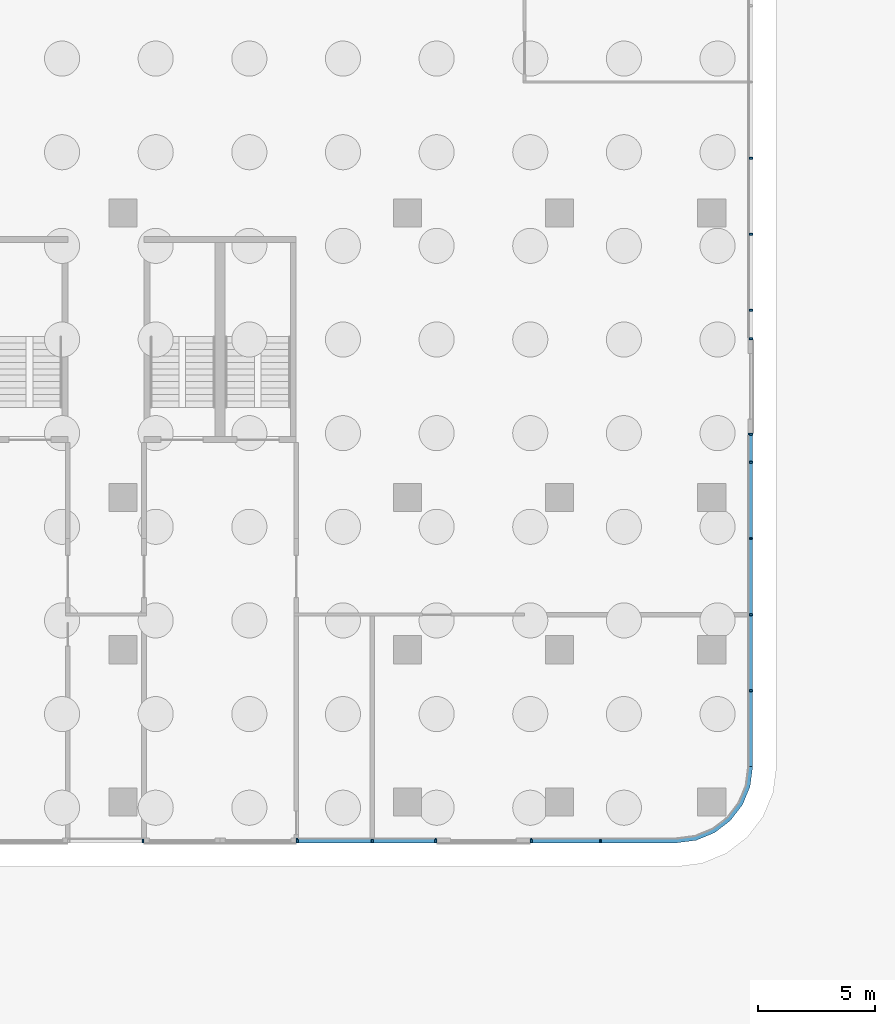
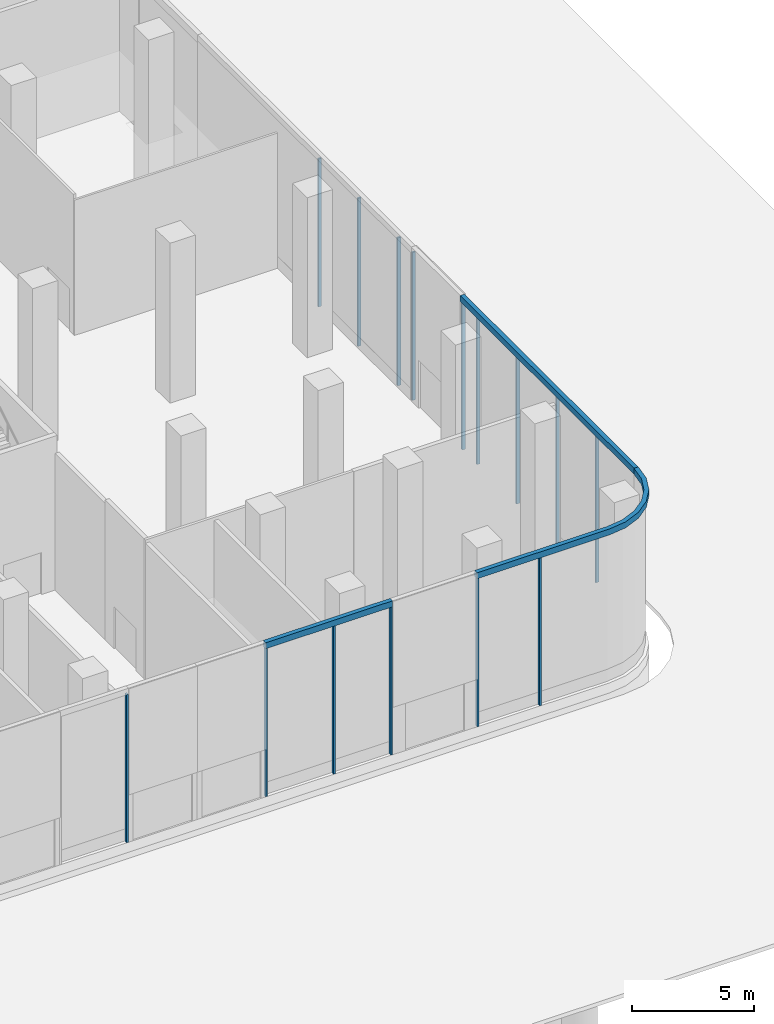
# One storey, part 7 of 27: 18 members, 5 elements without a shape of their own.
"""IFC4 building model written with IfcOpenShell, lengths in metres."""

import ifcopenshell
import ifcopenshell.guid

model = None  # the IFC model being written
_history = None  # IfcOwnerHistory: only IFC2X3 demands one
_inside = {}  # id of a spatial element -> (the spatial element, [elements in it])
_under = {}  # id of a project, library or spatial element -> (it, [spatial elements below it])
_declared = {}  # id of a project -> (the project, [libraries it declares])
_typed = {}  # id of a type object -> (the type object, [elements of that type])
_made_of = {}  # id of a material, layer set ... -> (it, [elements and type objects made of it])


def new_model(schema):
    """Start an empty IFC model of exactly this schema.

    Asked for "IFC4X3", IfcOpenShell would pick the latest addendum, in which some entities
    have other attributes; the version numbers below select the first issue.
    IFC2X3 requires an IfcOwnerHistory on every rooted entity: one is made here for all.
    """
    global model, _history
    if schema == "IFC4X3":
        model = ifcopenshell.file(schema_version=(4, 3, 0, 0))
    else:
        model = ifcopenshell.file(schema=schema)
    _inside.clear()
    _under.clear()
    _declared.clear()
    _typed.clear()
    _made_of.clear()
    _history = None
    if model.schema == "IFC2X3":
        org = make("IfcOrganization", Name="unknown")
        user = make(
            "IfcPersonAndOrganization",
            ThePerson=make("IfcPerson", FamilyName="unknown"),
            TheOrganization=org,
        )
        app = make(
            "IfcApplication",
            ApplicationDeveloper=org,
            Version="unknown",
            ApplicationFullName="unknown",
            ApplicationIdentifier="unknown",
        )
        _history = make(
            "IfcOwnerHistory",
            OwningUser=user,
            OwningApplication=app,
            ChangeAction="ADDED",
            CreationDate=0,
        )
    return model


def make(cls, **values):
    """One entity of the class cls with the attributes given. An attribute that is None is left unset."""
    return model.create_entity(
        cls, **{name: value for name, value in values.items() if value is not None}
    )


def rooted(cls, **values):
    """An entity with a GlobalId (a new one), such as an element, a storey or a relation."""
    return make(cls, GlobalId=ifcopenshell.guid.new(), OwnerHistory=_history, **values)


def si_unit(unit_type, name, prefix=None):
    """IfcSIUnit, for example si_unit("LENGTHUNIT", "METRE", prefix="MILLI")."""
    return make("IfcSIUnit", UnitType=unit_type, Prefix=prefix, Name=name)


def assignment(units):
    """IfcUnitAssignment: the units of a project."""
    return None if units is None else make("IfcUnitAssignment", Units=units)


def point(xyz):
    """IfcCartesianPoint."""
    return None if xyz is None else make("IfcCartesianPoint", Coordinates=xyz)


def direction(xyz):
    """IfcDirection."""
    return None if xyz is None else make("IfcDirection", DirectionRatios=xyz)


def frame(location, z_axis=None, x_axis=None):
    """IfcAxis2Placement3D, a coordinate frame: its origin and axes. An axis left out is left unset."""
    return make(
        "IfcAxis2Placement3D",
        Location=point(location),
        Axis=direction(z_axis),
        RefDirection=direction(x_axis),
    )


def frame_2d(location, x_axis=None):
    """IfcAxis2Placement2D, a coordinate frame in the plane: its origin and x axis."""
    return make(
        "IfcAxis2Placement2D", Location=point(location), RefDirection=direction(x_axis)
    )


def origin():
    """The frame at (0, 0, 0) with its axes left unset."""
    return frame((0.0, 0.0, 0.0))


def origin_2d():
    """The frame at (0, 0) in the plane with its x axis left unset."""
    return frame_2d((0.0, 0.0))


def place(relative_to, where):
    """IfcLocalPlacement: puts the frame where relative to a parent placement (None: the world)."""
    return make(
        "IfcLocalPlacement", PlacementRelTo=relative_to, RelativePlacement=where
    )


def context(
    kind, dimensions, precision=None, world=None, true_north=None, identifier=None
):
    """IfcGeometricRepresentationContext, for example the 3D "Model" context."""
    return make(
        "IfcGeometricRepresentationContext",
        ContextIdentifier=identifier,
        ContextType=kind,
        CoordinateSpaceDimension=dimensions,
        Precision=precision,
        WorldCoordinateSystem=world,
        TrueNorth=true_north,
    )


def subcontext(parent, identifier, kind, view, scale=None):
    """IfcGeometricRepresentationSubContext, for example "Body" below "Model"."""
    return make(
        "IfcGeometricRepresentationSubContext",
        ContextIdentifier=identifier,
        ContextType=kind,
        ParentContext=parent,
        TargetScale=scale,
        TargetView=view,
    )


def project(units=None, contexts=None):
    """IfcProject with its units and contexts."""
    return rooted(
        "IfcProject",
        Name="project",
        RepresentationContexts=contexts,
        UnitsInContext=assignment(units),
    )


def spatial(cls, under=None, at=None, **own):
    """A site, building, storey or space (cls), placed at a placement, below another one or the project."""
    s = rooted(cls, ObjectPlacement=at, **own)
    if under is not None:
        _under.setdefault(under.id(), (under, []))[1].append(s)
    return s


def polyline(points):
    """IfcPolyline through the points."""
    return make("IfcPolyline", Points=[point(p) for p in points])


def profile(cls, at=None, kind="AREA", **sizes):
    """A parametric profile (cls). Its sizes go by their IFC names, for example OverallWidth=200.0."""
    return make(cls, ProfileType=kind, Position=at, **sizes)


def rectangle(**sizes):
    """IfcRectangleProfileDef."""
    return profile("IfcRectangleProfileDef", **sizes)


def outline(outer, holes=None, kind="AREA"):
    """IfcArbitraryClosedProfileDef: a profile drawn as a closed curve; with holes, ...WithVoids."""
    if holes is None:
        return make("IfcArbitraryClosedProfileDef", ProfileType=kind, OuterCurve=outer)
    return make(
        "IfcArbitraryProfileDefWithVoids",
        ProfileType=kind,
        OuterCurve=outer,
        InnerCurves=holes,
    )


def extrude(swept, where, along, depth):
    """IfcExtrudedAreaSolid: the profile swept, set in the frame where, extruded along a direction by depth."""
    return make(
        "IfcExtrudedAreaSolid",
        SweptArea=swept,
        Position=where,
        ExtrudedDirection=direction(along),
        Depth=depth,
    )


def shape(context_of_items, identifier, shape_type, items):
    """IfcShapeRepresentation: the items that make up one representation, for example the "Body"."""
    return make(
        "IfcShapeRepresentation",
        ContextOfItems=context_of_items,
        RepresentationIdentifier=identifier,
        RepresentationType=shape_type,
        Items=items,
    )


def source(mapping_origin, context_of_items, identifier, shape_type, items):
    """IfcRepresentationMap: a shape defined once, which mapped items show again and again."""
    return make(
        "IfcRepresentationMap",
        MappingOrigin=mapping_origin,
        MappedRepresentation=shape(context_of_items, identifier, shape_type, items),
    )


def transform(
    local_origin,
    x_axis=None,
    y_axis=None,
    z_axis=None,
    scale=None,
    scale2=None,
    scale3=None,
    uniform=True,
):
    """IfcCartesianTransformationOperator3D, or its non-uniform kind. x_axis, y_axis, z_axis: its Axis1, 2, 3."""
    if uniform:
        return make(
            "IfcCartesianTransformationOperator3D",
            Axis1=direction(x_axis),
            Axis2=direction(y_axis),
            LocalOrigin=point(local_origin),
            Scale=scale,
            Axis3=direction(z_axis),
        )
    return make(
        "IfcCartesianTransformationOperator3DnonUniform",
        Axis1=direction(x_axis),
        Axis2=direction(y_axis),
        LocalOrigin=point(local_origin),
        Scale=scale,
        Axis3=direction(z_axis),
        Scale2=scale2,
        Scale3=scale3,
    )


def mapped(mapping_source, mapping_target):
    """IfcMappedItem: shows the shape of a source again, moved by a transform."""
    return make(
        "IfcMappedItem", MappingSource=mapping_source, MappingTarget=mapping_target
    )


def material(Name=None, Category=None):
    """IfcMaterial."""
    return make("IfcMaterial", Name=Name, Category=Category)


def layer(
    of_material, thickness, ventilated=None, Name=None, Category=None, Priority=None
):
    """IfcMaterialLayer: one layer of a wall or slab, of a material (None: an air gap)."""
    return make(
        "IfcMaterialLayer",
        Material=of_material,
        LayerThickness=thickness,
        IsVentilated=ventilated,
        Name=Name,
        Category=Category,
        Priority=Priority,
    )


def layer_set(layers, Name=None):
    """IfcMaterialLayerSet."""
    return make("IfcMaterialLayerSet", MaterialLayers=layers, LayerSetName=Name)


def material_profile(
    of_material, cross_section, Name=None, Category=None, Priority=None
):
    """IfcMaterialProfile: a cross section and its material."""
    return make(
        "IfcMaterialProfile",
        Name=Name,
        Material=of_material,
        Profile=cross_section,
        Priority=Priority,
        Category=Category,
    )


def profile_set(profiles, Name=None, composite=None):
    """IfcMaterialProfileSet."""
    return make(
        "IfcMaterialProfileSet",
        Name=Name,
        MaterialProfiles=profiles,
        CompositeProfile=composite,
    )


def made_of(thing, what):
    """Note that an element or type object is made of a material, layer set ...; save() writes the relation."""
    if what is not None:
        _made_of.setdefault(what.id(), (what, []))[1].append(thing)
    return thing


def type_object(cls, material=None, **own):
    """A type object (cls), such as IfcWallType, which elements share."""
    return made_of(rooted(cls, **own), material)


def element(
    cls,
    number,
    at=None,
    inside=None,
    cuts=None,
    type_object=None,
    material=None,
    context=None,
    identifier="Body",
    shape_type=None,
    held_by="IfcProductDefinitionShape",
    body=None,
    shapes=None,
    **own,
):
    """One element of the class cls, such as IfcWall. Its Tag is "e" and its number.

    at: its placement. inside: the storey or other place that contains it. cuts: it is an
    opening in that element (IfcRelVoidsElement). A single representation is given by context,
    identifier, shape_type and body (its items); several are given by shapes. held_by: the class
    of the entity that holds the representations. save() writes the other relations.
    """
    e = rooted(cls, Tag="e%d" % number, ObjectPlacement=at, **own)
    if body is not None:
        shapes = [shape(context, identifier, shape_type, body)]
    if shapes is not None:
        e.Representation = make(held_by, Representations=shapes)
    if inside is not None:
        _inside.setdefault(inside.id(), (inside, []))[1].append(e)
    if cuts is not None:
        rooted(
            "IfcRelVoidsElement", RelatingBuildingElement=cuts, RelatedOpeningElement=e
        )
    if type_object is not None:
        _typed.setdefault(type_object.id(), (type_object, []))[1].append(e)
    return made_of(e, material)


def aggregate(whole, parts):
    """IfcRelAggregates: a whole, such as a stair, and the parts it consists of."""
    return rooted("IfcRelAggregates", RelatingObject=whole, RelatedObjects=parts)


def save(model, path):
    """Write the relations noted so far, then the file.

    IfcRelAggregates (storeys below a building ...), IfcRelContainedInSpatialStructure (elements
    in a storey), IfcRelDefinesByType, IfcRelAssociatesMaterial and IfcRelDeclares: one each for
    every whole, place, type object, material and project.
    """
    for whole, parts in _under.values():
        aggregate(whole, parts)
    for where, things in _inside.values():
        rooted(
            "IfcRelContainedInSpatialStructure",
            RelatedElements=things,
            RelatingStructure=where,
        )
    for kind, things in _typed.values():
        rooted("IfcRelDefinesByType", RelatedObjects=things, RelatingType=kind)
    for what, things in _made_of.values():
        rooted("IfcRelAssociatesMaterial", RelatedObjects=things, RelatingMaterial=what)
    for by, libraries in _declared.values():
        rooted("IfcRelDeclares", RelatingContext=by, RelatedDefinitions=libraries)
    model.write(path)


model = new_model("IFC4")

# Units and contexts
model_context = context("Model", 3, precision=1e-05, world=origin(), true_north=direction((0.0, 1.0)))
body_context = subcontext(model_context, "Body", "Model", "MODEL_VIEW")
ifc_project = project(units=[si_unit("LENGTHUNIT", "METRE"), si_unit("AREAUNIT", "SQUARE_METRE"), si_unit("VOLUMEUNIT", "CUBIC_METRE"), si_unit("PLANEANGLEUNIT", "RADIAN"), si_unit("MASSUNIT", "GRAM", prefix="KILO")], contexts=[model_context])

# Site, building, storey
site_placement = place(None, origin())
site = spatial("IfcSite", under=ifc_project, at=site_placement, CompositionType="ELEMENT")
building_placement = place(site_placement, origin())
building = spatial("IfcBuilding", under=site, at=building_placement, Name="Trellis Farm Tower", CompositionType="ELEMENT")
storey_placement = place(building_placement, origin())
storey = spatial("IfcBuildingStorey", under=building, at=storey_placement, Name="L00", CompositionType="ELEMENT", Elevation=0.0)

# Curtain wall, member
ifc_material_1 = material(Name="Aluminium and glass curtain wall", Category="aluminium")
ifc_layer_1 = layer(ifc_material_1, 0.201904296875)
ifc_layer_set_1 = layer_set([ifc_layer_1], Name="SHOPFRONT CURTAIN WALL CW2")
curtain_wall_type = type_object("IfcCurtainWallType", Name="SHOPFRONT CURTAIN WALL CW2", PredefinedType="NOTDEFINED", material=ifc_layer_set_1)
placement_1 = place(storey_placement, origin())
curtain_wall_1 = element("IfcCurtainWall", 1, at=placement_1, inside=storey, type_object=curtain_wall_type, Name="CW2 001", PredefinedType="NOTDEFINED")
ifc_material_2 = material(Name="Aluminium extrusion 6063-T6", Category="aluminium")
ifc_layer_2 = layer(ifc_material_2, 0.205078125)
ifc_layer_set_2 = layer_set([ifc_layer_2], Name="Aluminium extrusion 6063-T6")
member_type_1 = type_object("IfcMemberType", Name="CW2 TRANSOM 205x300", PredefinedType="USERDEFINED", material=ifc_layer_set_2)
placement_2 = place(storey_placement, frame((0.0, 0.0, 7.39990234375)))
member_1 = element("IfcMember", 2, at=placement_2, type_object=member_type_1, Name="TR2 001", ObjectType="TRANSOM", PredefinedType="USERDEFINED", context=body_context, shape_type="SweptSolid", body=[
    extrude(outline(polyline([(45.5, -42.25), (45.5, -28.0), (45.294921875, -28.0), (45.294921875, -42.236572265625), (45.5, -42.25)])), origin(), (0.0, 0.0, 1.0), 0.300048828125),
])

curtain_wall_2 = element("IfcCurtainWall", 3, at=placement_1, inside=storey, type_object=curtain_wall_type, Name="CW2 020", PredefinedType="NOTDEFINED")
member_2 = element("IfcMember", 4, at=placement_2, type_object=member_type_1, Name="TR2 020", ObjectType="TRANSOM", PredefinedType="USERDEFINED", context=body_context, shape_type="SweptSolid", body=[
    extrude(outline(polyline([(26.0, -45.5), (32.0, -45.5), (32.0, -45.294921875), (26.0, -45.294921875), (26.0, -45.5)])), origin(), (0.0, 0.0, 1.0), 0.300048828125),
])

curtain_wall_3 = element("IfcCurtainWall", 5, at=placement_1, inside=storey, type_object=curtain_wall_type, Name="CW2 021", PredefinedType="NOTDEFINED")
member_3 = element("IfcMember", 6, at=placement_2, type_object=member_type_1, Name="TR2 021", ObjectType="TRANSOM", PredefinedType="USERDEFINED", context=body_context, shape_type="SweptSolid", body=[
    extrude(outline(polyline([(36.0, -45.5), (42.25, -45.5), (43.091064453125, -45.38916015625), (43.875, -45.064697265625), (44.548095703125, -44.548095703125), (45.064697265625, -43.875), (45.38916015625, -43.091064453125), (45.5, -42.25), (45.294921875, -42.236572265625), (45.189453125, -43.03759765625), (44.885498046875, -43.771728515625), (44.40185546875, -44.40185546875), (43.771728515625, -44.885498046875), (43.03759765625, -45.189453125), (42.236572265625, -45.294921875), (36.0, -45.294921875), (36.0, -45.5)])), origin(), (0.0, 0.0, 1.0), 0.300048828125),
])

# Member
ifc_material_profile = material_profile(ifc_material_2, rectangle(XDim=0.080078125, YDim=0.14990234375, at=origin_2d()), Name="MULLION 80x150")
ifc_profile_set = profile_set([ifc_material_profile], Name="Aluminium extrusion 6063-T6")
member_type_2 = type_object("IfcMemberType", Name="CW2 MULLION 80x150", PredefinedType="MULLION", material=ifc_profile_set)
shared_shape = source(origin(), body_context, "Body", "SweptSolid", [
    extrude(rectangle(XDim=0.080078125, YDim=0.14990234375, at=origin_2d()), origin(), (0.0, 0.0, 1.0), 7.39990234375),
])
member_4_placement = place(storey_placement, frame((45.425048828125, -39.0, 0.0), z_axis=(0.0, 0.0, 1.0), x_axis=(0.0, 1.0, 0.0)))
member_4 = element("IfcMember", 7, at=member_4_placement, type_object=member_type_2, Name="MU2 001-01", PredefinedType="MULLION", context=body_context, shape_type="MappedRepresentation", body=[
    mapped(shared_shape, transform((0.0, 0.0, 0.0))),
])

member_5_placement = place(storey_placement, frame((45.425048828125, -35.75, 0.0), z_axis=(0.0, 0.0, 1.0), x_axis=(0.0, 1.0, 0.0)))
member_5 = element("IfcMember", 8, at=member_5_placement, type_object=member_type_2, Name="MU2 001-02", PredefinedType="MULLION", context=body_context, shape_type="MappedRepresentation", body=[
    mapped(shared_shape, transform((0.0, 0.0, 0.0))),
])

member_6_placement = place(storey_placement, frame((45.425048828125, -32.5, 0.0), z_axis=(0.0, 0.0, 1.0), x_axis=(0.0, 1.0, 0.0)))
member_6 = element("IfcMember", 9, at=member_6_placement, type_object=member_type_2, Name="MU2 001-03", PredefinedType="MULLION", context=body_context, shape_type="MappedRepresentation", body=[
    mapped(shared_shape, transform((0.0, 0.0, 0.0))),
])

member_7_placement = place(storey_placement, frame((45.425048828125, -29.25, 0.0), z_axis=(0.0, 0.0, 1.0), x_axis=(0.0, 1.0, 0.0)))
member_7 = element("IfcMember", 10, at=member_7_placement, type_object=member_type_2, Name="MU2 001-04", PredefinedType="MULLION", context=body_context, shape_type="MappedRepresentation", body=[
    mapped(shared_shape, transform((0.0, 0.0, 0.0))),
])

member_8_placement = place(storey_placement, frame((45.425048828125, -28.0400390625, 0.0), z_axis=(0.0, 0.0, 1.0), x_axis=(0.0, 1.0, 0.0)))
member_8 = element("IfcMember", 11, at=member_8_placement, type_object=member_type_2, Name="MU2 001-05", PredefinedType="MULLION", context=body_context, shape_type="MappedRepresentation", body=[
    mapped(shared_shape, transform((0.0, 0.0, 0.0))),
])

aggregate(curtain_wall_1, [member_4, member_5, member_6, member_7, member_8, member_1])

# Curtain wall, members
curtain_wall_4 = element("IfcCurtainWall", 12, at=placement_1, inside=storey, type_object=curtain_wall_type, Name="CW2 002", PredefinedType="NOTDEFINED")
member_9_placement = place(storey_placement, frame((45.425048828125, -23.9599609375, 0.0), z_axis=(0.0, 0.0, 1.0), x_axis=(0.0, 1.0, 0.0)))
member_9 = element("IfcMember", 13, at=member_9_placement, type_object=member_type_2, Name="MU2 002-01", PredefinedType="MULLION", context=body_context, shape_type="MappedRepresentation", body=[
    mapped(shared_shape, transform((0.0, 0.0, 0.0))),
])
member_10_placement = place(storey_placement, frame((45.425048828125, -22.75, 0.0), z_axis=(0.0, 0.0, 1.0), x_axis=(0.0, 1.0, 0.0)))
member_10 = element("IfcMember", 14, at=member_10_placement, type_object=member_type_2, Name="MU2 002-02", PredefinedType="MULLION", context=body_context, shape_type="MappedRepresentation", body=[
    mapped(shared_shape, transform((0.0, 0.0, 0.0))),
])
member_11_placement = place(storey_placement, frame((45.425048828125, -19.5, 0.0), z_axis=(0.0, 0.0, 1.0), x_axis=(0.0, 1.0, 0.0)))
member_11 = element("IfcMember", 15, at=member_11_placement, type_object=member_type_2, Name="MU2 002-03", PredefinedType="MULLION", context=body_context, shape_type="MappedRepresentation", body=[
    mapped(shared_shape, transform((0.0, 0.0, 0.0))),
])
member_12_placement = place(storey_placement, frame((45.425048828125, -16.25, 0.0), z_axis=(0.0, 0.0, 1.0), x_axis=(0.0, 1.0, 0.0)))
member_12 = element("IfcMember", 16, at=member_12_placement, type_object=member_type_2, Name="MU2 002-04", PredefinedType="MULLION", context=body_context, shape_type="MappedRepresentation", body=[
    mapped(shared_shape, transform((0.0, 0.0, 0.0))),
])
aggregate(curtain_wall_4, [member_9, member_10, member_11, member_12])

# Curtain wall, member
curtain_wall_5 = element("IfcCurtainWall", 17, at=placement_1, inside=storey, type_object=curtain_wall_type, Name="CW2 019", PredefinedType="NOTDEFINED")
member_13_placement = place(storey_placement, frame((19.4599609375, -45.425048828125, 0.0), z_axis=(0.0, 0.0, 1.0), x_axis=(1.0, 0.0, 0.0)))
member_13 = element("IfcMember", 18, at=member_13_placement, type_object=member_type_2, Name="MU2 019-02", PredefinedType="MULLION", context=body_context, shape_type="MappedRepresentation", body=[
    mapped(shared_shape, transform((0.0, 0.0, 0.0))),
])
aggregate(curtain_wall_5, [member_13])

# Member
member_14_placement = place(storey_placement, frame((26.0400390625, -45.425048828125, 0.0), z_axis=(0.0, 0.0, 1.0), x_axis=(1.0, 0.0, 0.0)))
member_14 = element("IfcMember", 19, at=member_14_placement, type_object=member_type_2, Name="MU2 020-01", PredefinedType="MULLION", context=body_context, shape_type="MappedRepresentation", body=[
    mapped(shared_shape, transform((0.0, 0.0, 0.0))),
])

member_15_placement = place(storey_placement, frame((29.25, -45.425048828125, 0.0), z_axis=(0.0, 0.0, 1.0), x_axis=(1.0, 0.0, 0.0)))
member_15 = element("IfcMember", 20, at=member_15_placement, type_object=member_type_2, Name="MU2 020-02", PredefinedType="MULLION", context=body_context, shape_type="MappedRepresentation", body=[
    mapped(shared_shape, transform((0.0, 0.0, 0.0))),
])

member_16_placement = place(storey_placement, frame((31.9599609375, -45.425048828125, 0.0), z_axis=(0.0, 0.0, 1.0), x_axis=(1.0, 0.0, 0.0)))
member_16 = element("IfcMember", 21, at=member_16_placement, type_object=member_type_2, Name="MU2 020-03", PredefinedType="MULLION", context=body_context, shape_type="MappedRepresentation", body=[
    mapped(shared_shape, transform((0.0, 0.0, 0.0))),
])

aggregate(curtain_wall_2, [member_14, member_15, member_16, member_2])

member_17_placement = place(storey_placement, frame((36.0400390625, -45.425048828125, 0.0), z_axis=(0.0, 0.0, 1.0), x_axis=(1.0, 0.0, 0.0)))
member_17 = element("IfcMember", 22, at=member_17_placement, type_object=member_type_2, Name="MU2 021-01", PredefinedType="MULLION", context=body_context, shape_type="MappedRepresentation", body=[
    mapped(shared_shape, transform((0.0, 0.0, 0.0))),
])

member_18_placement = place(storey_placement, frame((39.0, -45.425048828125, 0.0), z_axis=(0.0, 0.0, 1.0), x_axis=(1.0, 0.0, 0.0)))
member_18 = element("IfcMember", 23, at=member_18_placement, type_object=member_type_2, Name="MU2 021-02", PredefinedType="MULLION", context=body_context, shape_type="MappedRepresentation", body=[
    mapped(shared_shape, transform((0.0, 0.0, 0.0))),
])

aggregate(curtain_wall_3, [member_17, member_18, member_3])

save(model, "model.ifc")
